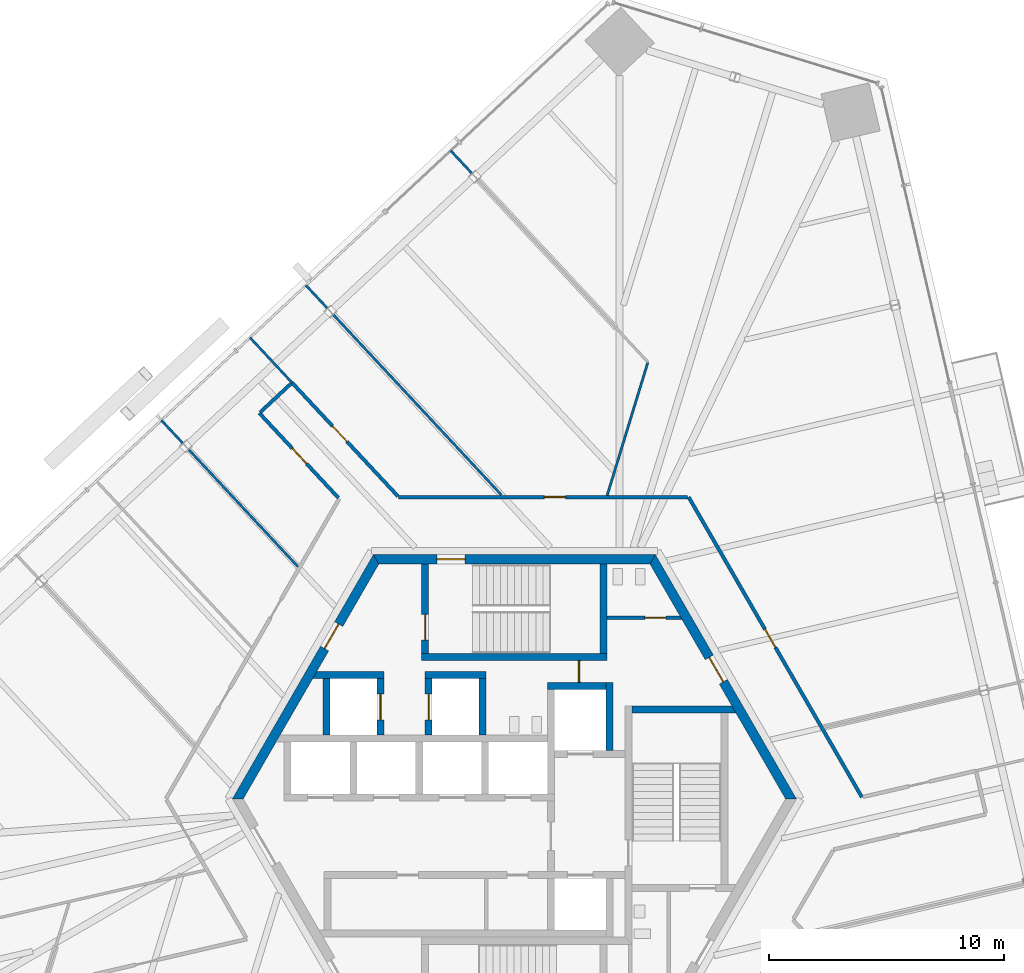
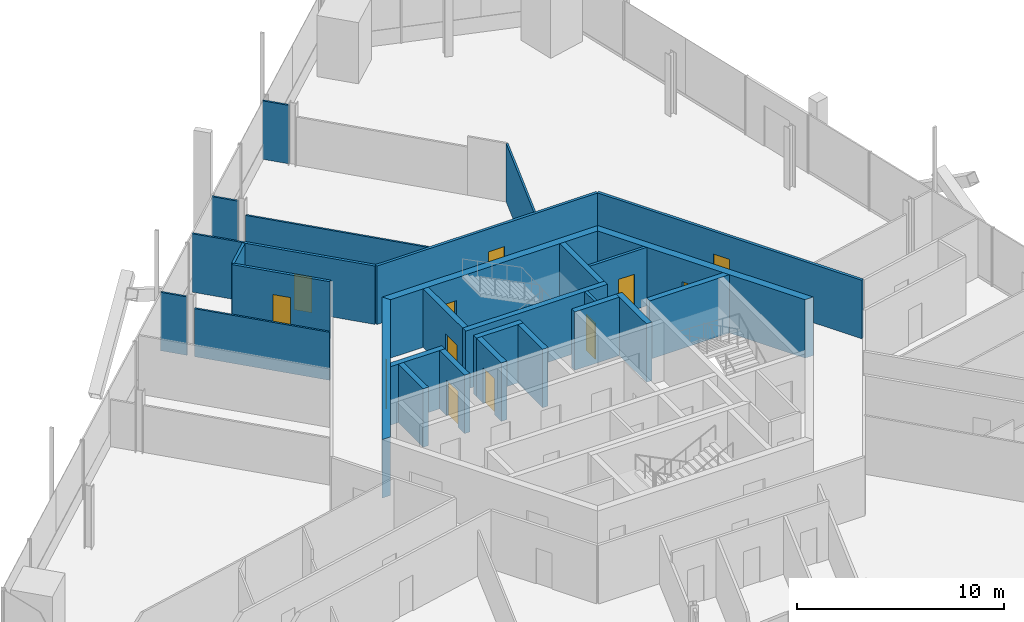
# One storey, part 16 of 24: 29 walls, 12 doors, 12 openings.
"""IFC4 building model written with IfcOpenShell, lengths in metres."""

from ifc_helpers import new_model, si_unit, direction, frame, frame_2d, origin, place, context, subcontext, project, spatial, polyline, rectangle, outline, extrude, source, transform, mapped, material, layer, layer_set, type_object, element, fill, save


model = new_model("IFC4")

# Units and contexts
model_context = context("Model", 3, precision=1e-05, world=origin(), true_north=direction((0.0, 1.0)))
body_context = subcontext(model_context, "Body", "Model", "MODEL_VIEW")
ifc_project = project(units=[si_unit("LENGTHUNIT", "METRE"), si_unit("AREAUNIT", "SQUARE_METRE"), si_unit("VOLUMEUNIT", "CUBIC_METRE"), si_unit("PLANEANGLEUNIT", "RADIAN"), si_unit("MASSUNIT", "GRAM", prefix="KILO")], contexts=[model_context])

# Site, building, storey
site_placement = place(None, origin())
site = spatial("IfcSite", under=ifc_project, at=site_placement, CompositionType="ELEMENT")
building_placement = place(site_placement, origin())
building = spatial("IfcBuilding", under=site, at=building_placement, Name="Triune Harvest Tower", CompositionType="ELEMENT")
storey_placement = place(building_placement, frame((0.0, 0.0, 112.699951171875)))
storey = spatial("IfcBuildingStorey", under=building, at=storey_placement, Name="L28", CompositionType="ELEMENT", Elevation=112.699951171875)

# Wall, opening, door
ifc_material_1 = material(Name="Gypsum board on steel studs", Category="steel")
ifc_layer_1 = layer(ifc_material_1, 0.14990234375)
ifc_layer_set_1 = layer_set([ifc_layer_1], Name="Gypsum board on steel studs")
wall_type_1 = type_object("IfcWallType", Name="Fire Partition 150 mm", PredefinedType="PARTITIONING", material=ifc_layer_set_1)
wall_1_placement = place(storey_placement, frame((-9.462890625, 17.70947265625, 0.0), z_axis=(0.0, 0.0, 1.0), x_axis=(0.681985499965, -0.731365693642, 0.0)))
wall_1 = element("IfcWall", 1, at=wall_1_placement, inside=storey, type_object=wall_type_1, Name="Partition L28 017", PredefinedType="PARTITIONING", context=body_context, shape_type="SweptSolid", body=[
    extrude(rectangle(XDim=6.615234375, YDim=0.14990234375, at=frame_2d((3.3076171875, 0.0))), origin(), (0.0, 0.0, 1.0), 3.43994140625),
])
opening_1_placement = place(wall_1_placement, frame((2.525146484375, 0.0, 0.0)))
opening_1 = element("IfcOpeningElement", 2, at=opening_1_placement, cuts=wall_1, Name="Opening L28-011", PredefinedType="OPENING", context=body_context, shape_type="SweptSolid", body=[
    extrude(rectangle(XDim=0.89990234375, YDim=2.10009765625, at=frame_2d((0.449951171875, 1.050048828125))), frame((0.0, 0.0849609375, 0.0), z_axis=(0.0, -1.0, 0.0), x_axis=(1.0, 0.0, 0.0)), (0.0, 0.0, 1.0), 0.169921875),
])
ifc_material_2 = material(Name="Timber and steel door set", Category="steel")
door_type_1 = type_object("IfcDoorType", Name="Single leaf door FD30 left hand 900 x 2100", OperationType="SINGLE_SWING_LEFT", PredefinedType="DOOR", material=ifc_material_2)
door_1_placement = place(opening_1_placement, origin())
door_1 = element("IfcDoor", 3, at=door_1_placement, inside=storey, type_object=door_type_1, Name="Door L28-011 Office 28.11", OperationType="SINGLE_SWING_LEFT", OverallHeight=2.10009765625, OverallWidth=0.89990234375, PredefinedType="DOOR", context=body_context, shape_type="SweptSolid", body=[
    extrude(rectangle(XDim=0.89990234375, YDim=2.10009765625, at=frame_2d((0.449951171875, 1.050048828125))), frame((0.0, 0.02490234375, 0.0), z_axis=(0.0, -1.0, 0.0), x_axis=(1.0, 0.0, 0.0)), (0.0, 0.0, 1.0), 0.050048828125),
])
fill(opening_1, door_1)

# Wall
ifc_material_3 = material(Name="Gypsum board on steel studs", Category="steel")
ifc_layer_2 = layer(ifc_material_3, 0.10009765625)
ifc_layer_set_2 = layer_set([ifc_layer_2], Name="Gypsum board on steel studs")
wall_type_2 = type_object("IfcWallType", Name="Partition 100 mm", PredefinedType="PARTITIONING", material=ifc_layer_set_2)
wall_2_placement = place(storey_placement, frame((-7.707763671875, 20.603515625, 0.0), z_axis=(0.0, 0.0, 1.0), x_axis=(0.681998992862, -0.731353111524, 0.0)))
element("IfcWall", 4, at=wall_2_placement, inside=storey, type_object=wall_type_2, Name="Partition L28 020", PredefinedType="PARTITIONING", context=body_context, shape_type="SweptSolid", body=[
    extrude(rectangle(XDim=10.491943359375, YDim=0.10009765625, at=frame_2d((5.24609375, 0.0))), origin(), (0.0, 0.0, 1.0), 2.68310546875),
])

# Wall, opening, door
ifc_material_4 = material(Name="Concrete 70 MPa", Category="concrete")
ifc_layer_3 = layer(ifc_material_4, 0.39990234375)
ifc_layer_set_3 = layer_set([ifc_layer_3], Name="Concrete 70 MPa")
wall_type_3 = type_object("IfcWallType", Name="Core wall 400", PredefinedType="SHEAR", material=ifc_layer_set_3)
shared_shape_1 = source(origin(), body_context, "Body", "SweptSolid", [
    extrude(outline(polyline([(-0.115478515625, -0.199951171875), (11.884521484375, -0.199951171875), (11.653564453125, 0.199951171875), (0.115478515625, 0.199951171875), (-0.115478515625, -0.199951171875)])), origin(), (0.0, 0.0, 1.0), 3.43994140625),
])
wall_3_placement = place(storey_placement, frame((11.76904296875, 0.0, 0.0), z_axis=(0.0, 0.0, 1.0), x_axis=(-0.499996592174, 0.866027371285, 0.0)))
wall_3 = element("IfcWall", 5, at=wall_3_placement, inside=storey, type_object=wall_type_3, Name="Hexagon 0 wall", PredefinedType="SHEAR", context=body_context, shape_type="MappedRepresentation", body=[
    mapped(shared_shape_1, transform((0.0, 0.0, 0.0), scale=1.0)),
])
opening_2_placement = place(wall_3_placement, frame((5.75048828125, 0.0, 0.0)))
opening_2 = element("IfcOpeningElement", 6, at=opening_2_placement, cuts=wall_3, Name="Opening CD-WCP", PredefinedType="OPENING", context=body_context, shape_type="SweptSolid", body=[
    extrude(rectangle(XDim=1.199951171875, YDim=2.10009765625, at=frame_2d((0.60009765625, 1.050048828125))), frame((0.0, 0.2099609375, 0.0), z_axis=(0.0, -1.0, 0.0), x_axis=(1.0, 0.0, 0.0)), (0.0, 0.0, 1.0), 0.419921875),
])
ifc_material_5 = material(Name="Steel S235", Category="steel")
door_type_2 = type_object("IfcDoorType", Name="Lobby door 1200 FD120", OperationType="SINGLE_SWING_LEFT", PredefinedType="DOOR", material=ifc_material_5)
door_2_placement = place(opening_2_placement, frame((1.199951171875, 0.0, 0.0), z_axis=(0.0, 0.0, 1.0), x_axis=(-1.0, 0.0, 0.0)))
door_2 = element("IfcDoor", 7, at=door_2_placement, inside=storey, type_object=door_type_2, Name="Door CD-WCP", OperationType="SINGLE_SWING_RIGHT", OverallHeight=2.10009765625, OverallWidth=1.199951171875, PredefinedType="DOOR", context=body_context, shape_type="SweptSolid", body=[
    extrude(rectangle(XDim=1.199951171875, YDim=2.10009765625, at=frame_2d((0.60009765625, 1.050048828125))), frame((0.0, 0.02490234375, 0.0), z_axis=(0.0, -1.0, 0.0), x_axis=(1.0, 0.0, 0.0)), (0.0, 0.0, 1.0), 0.050048828125),
])
fill(opening_2, door_2)

wall_4_placement = place(storey_placement, frame((5.884521484375, 10.1923828125, 0.0), z_axis=(0.0, 0.0, 1.0), x_axis=(-1.0, 0.0, 0.0)))
wall_4 = element("IfcWall", 8, at=wall_4_placement, inside=storey, type_object=wall_type_3, Name="Hexagon 1 wall", PredefinedType="SHEAR", context=body_context, shape_type="MappedRepresentation", body=[
    mapped(shared_shape_1, transform((0.0, 0.0, 0.0), scale=1.0)),
])
opening_3_placement = place(wall_4_placement, frame((7.984619140625, 0.0, 0.0)))
opening_3 = element("IfcOpeningElement", 9, at=opening_3_placement, cuts=wall_4, Name="Opening CD-S1P", PredefinedType="OPENING", context=body_context, shape_type="SweptSolid", body=[
    extrude(rectangle(XDim=1.199951171875, YDim=2.10009765625, at=frame_2d((0.60009765625, 1.050048828125))), frame((0.0, 0.2099609375, 0.0), z_axis=(0.0, -1.0, 0.0), x_axis=(1.0, 0.0, 0.0)), (0.0, 0.0, 1.0), 0.419921875),
])
ifc_material_6 = material(Name="Steel S235", Category="steel")
door_type_3 = type_object("IfcDoorType", Name="Stair door 1200 FD120", OperationType="SINGLE_SWING_LEFT", PredefinedType="DOOR", material=ifc_material_6)
door_3_placement = place(opening_3_placement, frame((1.199951171875, 0.0, 0.0), z_axis=(0.0, 0.0, 1.0), x_axis=(-1.0, 0.0, 0.0)))
door_3 = element("IfcDoor", 10, at=door_3_placement, inside=storey, type_object=door_type_3, Name="Door CD-S1P", OperationType="SINGLE_SWING_RIGHT", OverallHeight=2.10009765625, OverallWidth=1.199951171875, PredefinedType="DOOR", context=body_context, shape_type="SweptSolid", body=[
    extrude(rectangle(XDim=1.199951171875, YDim=2.10009765625, at=frame_2d((0.60009765625, 1.050048828125))), frame((0.0, 0.02490234375, 0.0), z_axis=(0.0, -1.0, 0.0), x_axis=(1.0, 0.0, 0.0)), (0.0, 0.0, 1.0), 0.050048828125),
])
fill(opening_3, door_3)

wall_5_placement = place(storey_placement, frame((-5.884521484375, 10.1923828125, 0.0), z_axis=(0.0, 0.0, 1.0), x_axis=(-0.499996592174, -0.866027371285, 0.0)))
wall_5 = element("IfcWall", 11, at=wall_5_placement, inside=storey, type_object=wall_type_3, Name="Hexagon 2 wall", PredefinedType="SHEAR", context=body_context, shape_type="MappedRepresentation", body=[
    mapped(shared_shape_1, transform((0.0, 0.0, 0.0), scale=1.0)),
])
opening_4_placement = place(wall_5_placement, frame((3.1845703125, 0.0, 0.0)))
opening_4 = element("IfcOpeningElement", 12, at=opening_4_placement, cuts=wall_5, Name="Opening CD-SVP", PredefinedType="OPENING", context=body_context, shape_type="SweptSolid", body=[
    extrude(rectangle(XDim=1.199951171875, YDim=2.10009765625, at=frame_2d((0.60009765625, 1.050048828125))), frame((0.0, 0.2099609375, 0.0), z_axis=(0.0, -1.0, 0.0), x_axis=(1.0, 0.0, 0.0)), (0.0, 0.0, 1.0), 0.419921875),
])
ifc_material_7 = material(Name="Steel S235", Category="steel")
door_type_4 = type_object("IfcDoorType", Name="Service door 1200 FD120", OperationType="SINGLE_SWING_LEFT", PredefinedType="DOOR", material=ifc_material_7)
door_4_placement = place(opening_4_placement, frame((1.199951171875, 0.0, 0.0), z_axis=(0.0, 0.0, 1.0), x_axis=(-1.0, 0.0, 0.0)))
door_4 = element("IfcDoor", 13, at=door_4_placement, inside=storey, type_object=door_type_4, Name="Door CD-SVP", OperationType="SINGLE_SWING_RIGHT", OverallHeight=2.10009765625, OverallWidth=1.199951171875, PredefinedType="DOOR", context=body_context, shape_type="SweptSolid", body=[
    extrude(rectangle(XDim=1.199951171875, YDim=2.10009765625, at=frame_2d((0.60009765625, 1.050048828125))), frame((0.0, 0.02490234375, 0.0), z_axis=(0.0, -1.0, 0.0), x_axis=(1.0, 0.0, 0.0)), (0.0, 0.0, 1.0), 0.050048828125),
])
fill(opening_4, door_4)

# Walls
ifc_material_8 = material(Name="Concrete 70 MPa", Category="concrete")
ifc_layer_4 = layer(ifc_material_8, 0.300048828125)
ifc_layer_set_4 = layer_set([ifc_layer_4], Name="Concrete 70 MPa")
wall_type_4 = type_object("IfcWallType", Name="Core wall 300", PredefinedType="SHEAR", material=ifc_layer_set_4)
shared_shape_2 = source(origin(), body_context, "Body", "SweptSolid", [
    extrude(rectangle(XDim=2.5, YDim=0.300048828125, at=frame_2d((1.25, 0.0))), origin(), (0.0, 0.0, 1.0), 3.43994140625),
])
wall_6_placement = place(storey_placement, frame((1.39990234375, 4.81005859375, 0.0), z_axis=(0.0, 0.0, 1.0), x_axis=(1.0, 0.0, 0.0)))
element("IfcWall", 14, at=wall_6_placement, inside=storey, type_object=wall_type_4, Name="Ff1 back wall", PredefinedType="SHEAR", context=body_context, shape_type="MappedRepresentation", body=[
    mapped(shared_shape_2, transform((0.0, 0.0, 0.0), scale=1.0)),
])
shared_shape_3 = source(origin(), body_context, "Body", "SweptSolid", [
    extrude(rectangle(XDim=2.89990234375, YDim=0.300048828125, at=frame_2d((1.449951171875, 0.0))), origin(), (0.0, 0.0, 1.0), 3.43994140625),
])
wall_7_placement = place(storey_placement, frame((4.050048828125, 2.06005859375, 0.0), z_axis=(0.0, 0.0, 1.0), x_axis=(0.0, 1.0, 0.0)))
element("IfcWall", 15, at=wall_7_placement, inside=storey, type_object=wall_type_4, Name="Ff1 east wall", PredefinedType="SHEAR", context=body_context, shape_type="MappedRepresentation", body=[
    mapped(shared_shape_3, transform((0.0, 0.0, 0.0), scale=1.0)),
])
shared_shape_4 = source(origin(), body_context, "Body", "SweptSolid", [
    extrude(outline(polyline([(0.0, -0.14990234375), (0.0, 0.14990234375), (4.260009765625, 0.14990234375), (4.43310546875, -0.14990234375), (0.0, -0.14990234375)])), origin(), (0.0, 0.0, 1.0), 3.43994140625),
])
wall_8_placement = place(storey_placement, frame((5.0, 3.800048828125, 0.0), z_axis=(0.0, 0.0, 1.0), x_axis=(1.0, 0.0, 0.0)))
element("IfcWall", 16, at=wall_8_placement, inside=storey, type_object=wall_type_4, Name="Stair e north wall", PredefinedType="SHEAR", context=body_context, shape_type="MappedRepresentation", body=[
    mapped(shared_shape_4, transform((0.0, 0.0, 0.0), scale=1.0)),
])
shared_shape_5 = source(origin(), body_context, "Body", "SweptSolid", [
    extrude(rectangle(XDim=7.89990234375, YDim=0.300048828125, at=frame_2d((3.949951171875, 0.0))), origin(), (0.0, 0.0, 1.0), 3.43994140625),
])
wall_9_placement = place(storey_placement, frame((-3.949951171875, 6.0400390625, 0.0), z_axis=(0.0, 0.0, 1.0), x_axis=(1.0, 0.0, 0.0)))
element("IfcWall", 17, at=wall_9_placement, inside=storey, type_object=wall_type_4, Name="Stair n south wall", PredefinedType="SHEAR", context=body_context, shape_type="MappedRepresentation", body=[
    mapped(shared_shape_5, transform((0.0, 0.0, 0.0), scale=1.0)),
])

# Wall, opening, door
shared_shape_6 = source(origin(), body_context, "Body", "SweptSolid", [
    extrude(outline(polyline([(0.0, -0.14990234375), (0.0, 0.14990234375), (3.80419921875, 0.14990234375), (3.80419921875, -0.14990234375), (0.0, -0.14990234375)])), origin(), (0.0, 0.0, 1.0), 3.43994140625),
])
wall_10_placement = place(storey_placement, frame((-3.800048828125, 6.18994140625, 0.0), z_axis=(0.0, 0.0, 1.0), x_axis=(0.0, 1.0, 0.0)))
wall_10 = element("IfcWall", 18, at=wall_10_placement, inside=storey, type_object=wall_type_4, Name="Stair n west wall", PredefinedType="SHEAR", context=body_context, shape_type="MappedRepresentation", body=[
    mapped(shared_shape_6, transform((0.0, 0.0, 0.0), scale=1.0)),
])
opening_5_placement = place(wall_10_placement, frame((0.56005859375, 0.0, 0.0)))
opening_5 = element("IfcOpeningElement", 19, at=opening_5_placement, cuts=wall_10, Name="Opening CD-S1L", PredefinedType="OPENING", context=body_context, shape_type="SweptSolid", body=[
    extrude(rectangle(XDim=1.10009765625, YDim=2.10009765625, at=frame_2d((0.550048828125, 1.050048828125))), frame((0.0, 0.16015625, 0.0), z_axis=(0.0, -1.0, 0.0), x_axis=(1.0, 0.0, 0.0)), (0.0, 0.0, 1.0), 0.320068359375),
])
ifc_material_9 = material(Name="Steel S235", Category="steel")
door_type_5 = type_object("IfcDoorType", Name="Stair door 1100 FD120", OperationType="SINGLE_SWING_LEFT", PredefinedType="DOOR", material=ifc_material_9)
door_5_placement = place(opening_5_placement, frame((1.10009765625, 0.0, 0.0), z_axis=(0.0, 0.0, 1.0), x_axis=(-1.0, 0.0, 0.0)))
door_5 = element("IfcDoor", 20, at=door_5_placement, inside=storey, type_object=door_type_5, Name="Door CD-S1L", OperationType="SINGLE_SWING_RIGHT", OverallHeight=2.10009765625, OverallWidth=1.10009765625, PredefinedType="DOOR", context=body_context, shape_type="SweptSolid", body=[
    extrude(rectangle(XDim=1.10009765625, YDim=2.10009765625, at=frame_2d((0.550048828125, 1.050048828125))), frame((0.0, 0.02490234375, 0.0), z_axis=(0.0, -1.0, 0.0), x_axis=(1.0, 0.0, 0.0)), (0.0, 0.0, 1.0), 0.050048828125),
])
fill(opening_5, door_5)

# Walls
wall_11_placement = place(storey_placement, frame((3.800048828125, 6.18994140625, 0.0), z_axis=(0.0, 0.0, 1.0), x_axis=(0.0, 1.0, 0.0)))
element("IfcWall", 21, at=wall_11_placement, inside=storey, type_object=wall_type_4, Name="Stair n east wall", PredefinedType="SHEAR", context=body_context, shape_type="MappedRepresentation", body=[
    mapped(shared_shape_6, transform((0.0, 0.0, 0.0), scale=1.0)),
])
shared_shape_7 = source(origin(), body_context, "Body", "SweptSolid", [
    extrude(outline(polyline([(2.60009765625, -0.14990234375), (-0.440185546875, -0.14990234375), (-0.26708984375, 0.14990234375), (2.60009765625, 0.14990234375), (2.60009765625, -0.14990234375)])), origin(), (0.0, 0.0, 1.0), 3.43994140625),
])
wall_12_placement = place(storey_placement, frame((-8.14990234375, 5.260009765625, 0.0), z_axis=(0.0, 0.0, 1.0), x_axis=(1.0, 0.0, 0.0)))
element("IfcWall", 22, at=wall_12_placement, inside=storey, type_object=wall_type_4, Name="Sv1 north wall", PredefinedType="SHEAR", context=body_context, shape_type="MappedRepresentation", body=[
    mapped(shared_shape_7, transform((0.0, 0.0, 0.0), scale=1.0)),
])
shared_shape_8 = source(origin(), body_context, "Body", "SweptSolid", [
    extrude(rectangle(XDim=2.400146484375, YDim=0.300048828125, at=frame_2d((1.2001953125, 0.0))), origin(), (0.0, 0.0, 1.0), 3.43994140625),
])
wall_13_placement = place(storey_placement, frame((-8.0, 2.7099609375, 0.0), z_axis=(0.0, 0.0, 1.0), x_axis=(0.0, 1.0, 0.0)))
element("IfcWall", 23, at=wall_13_placement, inside=storey, type_object=wall_type_4, Name="Sv1 west wall", PredefinedType="SHEAR", context=body_context, shape_type="MappedRepresentation", body=[
    mapped(shared_shape_8, transform((0.0, 0.0, 0.0), scale=1.0)),
])

# Wall, opening, door
wall_14_placement = place(storey_placement, frame((-5.699951171875, 2.7099609375, 0.0), z_axis=(0.0, 0.0, 1.0), x_axis=(0.0, 1.0, 0.0)))
wall_14 = element("IfcWall", 24, at=wall_14_placement, inside=storey, type_object=wall_type_4, Name="Sv1 east wall", PredefinedType="SHEAR", context=body_context, shape_type="MappedRepresentation", body=[
    mapped(shared_shape_8, transform((0.0, 0.0, 0.0), scale=1.0)),
])
opening_6_placement = place(wall_14_placement, frame((0.64990234375, 0.0, 0.0)))
opening_6 = element("IfcOpeningElement", 25, at=opening_6_placement, cuts=wall_14, Name="Opening LD-SV1-28", PredefinedType="OPENING", context=body_context, shape_type="SweptSolid", body=[
    extrude(rectangle(XDim=1.10009765625, YDim=2.10009765625, at=frame_2d((0.550048828125, 1.050048828125))), frame((0.0, 0.16015625, 0.0), z_axis=(0.0, -1.0, 0.0), x_axis=(1.0, 0.0, 0.0)), (0.0, 0.0, 1.0), 0.320068359375),
])
ifc_material_10 = material(Name="Stainless steel AISI 304", Category="steel")
door_type_6 = type_object("IfcDoorType", Name="Landing door 1100 x 2100", OperationType="DOUBLE_DOOR_SLIDING", PredefinedType="DOOR", material=ifc_material_10)
door_6_placement = place(opening_6_placement, origin())
door_6 = element("IfcDoor", 26, at=door_6_placement, inside=storey, type_object=door_type_6, Name="Door LD-SV1-28", OperationType="DOUBLE_DOOR_SLIDING", OverallHeight=2.10009765625, OverallWidth=1.10009765625, PredefinedType="DOOR", context=body_context, shape_type="SweptSolid", body=[
    extrude(rectangle(XDim=1.10009765625, YDim=2.10009765625, at=frame_2d((0.550048828125, 1.050048828125))), frame((0.0, 0.02490234375, 0.0), z_axis=(0.0, -1.0, 0.0), x_axis=(1.0, 0.0, 0.0)), (0.0, 0.0, 1.0), 0.050048828125),
])
fill(opening_6, door_6)

wall_15_placement = place(storey_placement, frame((-3.64990234375, 2.7099609375, 0.0), z_axis=(0.0, 0.0, 1.0), x_axis=(0.0, 1.0, 0.0)))
wall_15 = element("IfcWall", 27, at=wall_15_placement, inside=storey, type_object=wall_type_4, Name="Sv2 west wall", PredefinedType="SHEAR", context=body_context, shape_type="MappedRepresentation", body=[
    mapped(shared_shape_8, transform((0.0, 0.0, 0.0), scale=1.0)),
])
opening_7_placement = place(wall_15_placement, frame((0.64990234375, 0.0, 0.0)))
opening_7 = element("IfcOpeningElement", 28, at=opening_7_placement, cuts=wall_15, Name="Opening LD-SV2-28", PredefinedType="OPENING", context=body_context, shape_type="SweptSolid", body=[
    extrude(rectangle(XDim=1.10009765625, YDim=2.10009765625, at=frame_2d((0.550048828125, 1.050048828125))), frame((0.0, 0.16015625, 0.0), z_axis=(0.0, -1.0, 0.0), x_axis=(1.0, 0.0, 0.0)), (0.0, 0.0, 1.0), 0.320068359375),
])
door_7_placement = place(opening_7_placement, origin())
door_7 = element("IfcDoor", 29, at=door_7_placement, inside=storey, type_object=door_type_6, Name="Door LD-SV2-28", OperationType="DOUBLE_DOOR_SLIDING", OverallHeight=2.10009765625, OverallWidth=1.10009765625, PredefinedType="DOOR", context=body_context, shape_type="SweptSolid", body=[
    extrude(rectangle(XDim=1.10009765625, YDim=2.10009765625, at=frame_2d((0.550048828125, 1.050048828125))), frame((0.0, 0.02490234375, 0.0), z_axis=(0.0, -1.0, 0.0), x_axis=(1.0, 0.0, 0.0)), (0.0, 0.0, 1.0), 0.050048828125),
])
fill(opening_7, door_7)

# Walls
wall_16_placement = place(storey_placement, frame((-1.35009765625, 2.7099609375, 0.0), z_axis=(0.0, 0.0, 1.0), x_axis=(0.0, 1.0, 0.0)))
element("IfcWall", 30, at=wall_16_placement, inside=storey, type_object=wall_type_4, Name="Sv2 east wall", PredefinedType="SHEAR", context=body_context, shape_type="MappedRepresentation", body=[
    mapped(shared_shape_8, transform((0.0, 0.0, 0.0), scale=1.0)),
])
shared_shape_9 = source(origin(), body_context, "Body", "SweptSolid", [
    extrude(rectangle(XDim=2.60009765625, YDim=0.300048828125, at=frame_2d((1.300048828125, 0.0))), origin(), (0.0, 0.0, 1.0), 3.43994140625),
])
wall_17_placement = place(storey_placement, frame((-3.800048828125, 5.260009765625, 0.0), z_axis=(0.0, 0.0, 1.0), x_axis=(1.0, 0.0, 0.0)))
element("IfcWall", 31, at=wall_17_placement, inside=storey, type_object=wall_type_4, Name="Sv2 north wall", PredefinedType="SHEAR", context=body_context, shape_type="MappedRepresentation", body=[
    mapped(shared_shape_9, transform((0.0, 0.0, 0.0), scale=1.0)),
])

# Wall, opening, door
ifc_material_11 = material(Name="Concrete masonry unit", Category="masonry")
ifc_layer_5 = layer(ifc_material_11, 0.14990234375)
ifc_layer_set_5 = layer_set([ifc_layer_5], Name="Concrete masonry unit")
wall_type_5 = type_object("IfcWallType", Name="Block partition 150 unrated", PredefinedType="PARTITIONING", material=ifc_layer_set_5)
shared_shape_10 = source(origin(), body_context, "Body", "SweptSolid", [
    extrude(outline(polyline([(0.0, -0.074951171875), (0.0, 0.074951171875), (3.1015625, 0.074951171875), (3.18798828125, -0.074951171875), (0.0, -0.074951171875)])), origin(), (0.0, 0.0, 1.0), 3.43994140625),
])
wall_18_placement = place(storey_placement, frame((3.949951171875, 7.699951171875, 0.0), z_axis=(0.0, 0.0, 1.0), x_axis=(1.0, 0.0, 0.0)))
wall_18 = element("IfcWall", 32, at=wall_18_placement, inside=storey, type_object=wall_type_5, Name="Wc women south wall", PredefinedType="PARTITIONING", context=body_context, shape_type="MappedRepresentation", body=[
    mapped(shared_shape_10, transform((0.0, 0.0, 0.0), scale=1.0)),
])
opening_8_placement = place(wall_18_placement, frame((1.60009765625, 0.0, 0.0)))
opening_8 = element("IfcOpeningElement", 33, at=opening_8_placement, cuts=wall_18, Name="Opening CD-WW", PredefinedType="OPENING", context=body_context, shape_type="SweptSolid", body=[
    extrude(rectangle(XDim=0.89990234375, YDim=2.10009765625, at=frame_2d((0.449951171875, 1.050048828125))), frame((0.0, 0.0849609375, 0.0), z_axis=(0.0, -1.0, 0.0), x_axis=(1.0, 0.0, 0.0)), (0.0, 0.0, 1.0), 0.169921875),
])
ifc_material_12 = material(Name="Timber C24", Category="wood")
door_type_7 = type_object("IfcDoorType", Name="WC door 900", OperationType="SINGLE_SWING_LEFT", PredefinedType="DOOR", material=ifc_material_12)
door_8_placement = place(opening_8_placement, origin())
door_8 = element("IfcDoor", 34, at=door_8_placement, inside=storey, type_object=door_type_7, Name="Door CD-WW", OperationType="SINGLE_SWING_LEFT", OverallHeight=2.10009765625, OverallWidth=0.89990234375, PredefinedType="DOOR", context=body_context, shape_type="SweptSolid", body=[
    extrude(rectangle(XDim=0.89990234375, YDim=2.10009765625, at=frame_2d((0.449951171875, 1.050048828125))), frame((0.0, 0.02490234375, 0.0), z_axis=(0.0, -1.0, 0.0), x_axis=(1.0, 0.0, 0.0)), (0.0, 0.0, 1.0), 0.050048828125),
])
fill(opening_8, door_8)

shared_shape_11 = source(origin(), body_context, "Body", "SweptSolid", [
    extrude(rectangle(XDim=0.929931640625, YDim=0.14990234375, at=frame_2d((0.46484375, 0.0))), origin(), (0.0, 0.0, 1.0), 3.43994140625),
])
wall_19_placement = place(storey_placement, frame((2.75, 4.9599609375, 0.0), z_axis=(0.0, 0.0, 1.0), x_axis=(0.0, 1.0, 0.0)))
wall_19 = element("IfcWall", 35, at=wall_19_placement, inside=storey, type_object=wall_type_5, Name="Wc men east b wall", PredefinedType="PARTITIONING", context=body_context, shape_type="MappedRepresentation", body=[
    mapped(shared_shape_11, transform((0.0, 0.0, 0.0), scale=1.0)),
])
opening_9_placement = place(wall_19_placement, frame((0.014892578125, 0.0, 0.0)))
opening_9 = element("IfcOpeningElement", 36, at=opening_9_placement, cuts=wall_19, Name="Opening CD-WM", PredefinedType="OPENING", context=body_context, shape_type="SweptSolid", body=[
    extrude(rectangle(XDim=0.89990234375, YDim=2.10009765625, at=frame_2d((0.449951171875, 1.050048828125))), frame((0.0, 0.0849609375, 0.0), z_axis=(0.0, -1.0, 0.0), x_axis=(1.0, 0.0, 0.0)), (0.0, 0.0, 1.0), 0.169921875),
])
door_9_placement = place(opening_9_placement, origin())
door_9 = element("IfcDoor", 37, at=door_9_placement, inside=storey, type_object=door_type_7, Name="Door CD-WM", OperationType="SINGLE_SWING_LEFT", OverallHeight=2.10009765625, OverallWidth=0.89990234375, PredefinedType="DOOR", context=body_context, shape_type="SweptSolid", body=[
    extrude(rectangle(XDim=0.89990234375, YDim=2.10009765625, at=frame_2d((0.449951171875, 1.050048828125))), frame((0.0, 0.02490234375, 0.0), z_axis=(0.0, -1.0, 0.0), x_axis=(1.0, 0.0, 0.0)), (0.0, 0.0, 1.0), 0.050048828125),
])
fill(opening_9, door_9)

# Walls
shared_shape_12 = source(origin(), body_context, "Body", "SweptSolid", [
    extrude(rectangle(XDim=1.338134765625, YDim=0.10009765625, at=frame_2d((0.6689453125, 0.0))), origin(), (0.0, 0.0, 1.0), 3.43994140625),
])
for number, where, z_axis, x_axis, name in (
    (38, (-15.0205078125, 16.107421875, 0.0), (0.0, 0.0, 1.0), (0.68204515899, -0.731310058114, 0.0), "Partition L28 010"),
    (39, (-8.866455078125, 21.84619140625, 0.0), (0.0, 0.0, 1.0), (0.681954155979, -0.731394920096, 0.0), "Partition L28 019"),
    (40, (-2.71240234375, 27.584716796875, 0.0), (0.0, 0.0, 1.0), (0.68204515899, -0.731310058114, 0.0), "Partition L28 021"),
):
    element("IfcWall", number, at=place(storey_placement, frame(where, z_axis=z_axis, x_axis=x_axis)), inside=storey, type_object=wall_type_2, Name=name, PredefinedType="PARTITIONING", context=body_context, shape_type="MappedRepresentation", body=[
        mapped(shared_shape_12, transform((0.0, 0.0, 0.0), scale=1.0)),
    ])
shared_shape_13 = source(origin(), body_context, "Body", "SweptSolid", [
    extrude(rectangle(XDim=1.7900390625, YDim=0.14990234375, at=frame_2d((0.89501953125, 0.0))), origin(), (0.0, 0.0, 1.0), 3.43994140625),
])
wall_20_placement = place(storey_placement, frame((-10.81591796875, 16.447998046875, 0.0), z_axis=(0.0, 0.0, 1.0), x_axis=(0.731427056945, 0.681919687624, 0.0)))
element("IfcWall", 41, at=wall_20_placement, inside=storey, type_object=wall_type_1, Name="Partition L28 047", PredefinedType="PARTITIONING", context=body_context, shape_type="MappedRepresentation", body=[
    mapped(shared_shape_13, transform((0.0, 0.0, 0.0), scale=1.0)),
])

# Wall, opening, door
shared_shape_14 = source(origin(), body_context, "Body", "SweptSolid", [
    extrude(rectangle(XDim=14.7470703125, YDim=0.14990234375, at=frame_2d((7.37353515625, 0.0))), origin(), (0.0, 0.0, 1.0), 3.43994140625),
])
wall_21_placement = place(storey_placement, frame((7.414306640625, 12.84228515625, 0.0), z_axis=(0.0, 0.0, 1.0), x_axis=(0.500002856634, -0.8660237545, 0.0)))
wall_21 = element("IfcWall", 42, at=wall_21_placement, inside=storey, type_object=wall_type_1, Name="Partition L28 006", PredefinedType="PARTITIONING", context=body_context, shape_type="MappedRepresentation", body=[
    mapped(shared_shape_14, transform((0.0, 0.0, 0.0), scale=1.0)),
])
opening_10_placement = place(wall_21_placement, frame((6.490966796875, 0.0, 0.0)))
opening_10 = element("IfcOpeningElement", 43, at=opening_10_placement, cuts=wall_21, Name="Opening L28-008", PredefinedType="OPENING", context=body_context, shape_type="SweptSolid", body=[
    extrude(rectangle(XDim=0.89990234375, YDim=2.10009765625, at=frame_2d((0.449951171875, 1.050048828125))), frame((0.0, 0.0849609375, 0.0), z_axis=(0.0, -1.0, 0.0), x_axis=(1.0, 0.0, 0.0)), (0.0, 0.0, 1.0), 0.169921875),
])
door_10_placement = place(opening_10_placement, origin())
door_10 = element("IfcDoor", 44, at=door_10_placement, inside=storey, type_object=door_type_1, Name="Door L28-008 Open Office 28.08", OperationType="SINGLE_SWING_LEFT", OverallHeight=2.10009765625, OverallWidth=0.89990234375, PredefinedType="DOOR", context=body_context, shape_type="SweptSolid", body=[
    extrude(rectangle(XDim=0.89990234375, YDim=2.10009765625, at=frame_2d((0.449951171875, 1.050048828125))), frame((0.0, 0.02490234375, 0.0), z_axis=(0.0, -1.0, 0.0), x_axis=(1.0, 0.0, 0.0)), (0.0, 0.0, 1.0), 0.050048828125),
])
fill(opening_10, door_10)

# Wall
shared_shape_15 = source(origin(), body_context, "Body", "SweptSolid", [
    extrude(rectangle(XDim=2.61865234375, YDim=0.10009765625, at=frame_2d((1.309326171875, 0.0))), origin(), (0.0, 0.0, 1.0), 3.43994140625),
])
wall_22_placement = place(storey_placement, frame((-11.248779296875, 19.62451171875, 0.0), z_axis=(0.0, 0.0, 1.0), x_axis=(0.682015897194, -0.731337347586, 0.0)))
element("IfcWall", 45, at=wall_22_placement, inside=storey, type_object=wall_type_2, Name="Partition L28 016", PredefinedType="PARTITIONING", context=body_context, shape_type="MappedRepresentation", body=[
    mapped(shared_shape_15, transform((0.0, 0.0, 0.0), scale=1.0)),
])

# Wall, opening, door
shared_shape_16 = source(origin(), body_context, "Body", "SweptSolid", [
    extrude(rectangle(XDim=12.28857421875, YDim=0.14990234375, at=frame_2d((6.144287109375, 0.0))), origin(), (0.0, 0.0, 1.0), 3.43994140625),
])
wall_23_placement = place(storey_placement, frame((-4.924072265625, 12.84228515625, 0.0), z_axis=(0.0, 0.0, 1.0), x_axis=(1.0, 0.0, 0.0)))
wall_23 = element("IfcWall", 46, at=wall_23_placement, inside=storey, type_object=wall_type_1, Name="Partition L28 027", PredefinedType="PARTITIONING", context=body_context, shape_type="MappedRepresentation", body=[
    mapped(shared_shape_16, transform((0.0, 0.0, 0.0), scale=1.0)),
])
opening_11_placement = place(wall_23_placement, frame((6.2001953125, 0.0, 0.0)))
opening_11 = element("IfcOpeningElement", 47, at=opening_11_placement, cuts=wall_23, Name="Opening L28-009", PredefinedType="OPENING", context=body_context, shape_type="SweptSolid", body=[
    extrude(rectangle(XDim=0.89990234375, YDim=2.10009765625, at=frame_2d((0.449951171875, 1.050048828125))), frame((0.0, 0.0849609375, 0.0), z_axis=(0.0, -1.0, 0.0), x_axis=(1.0, 0.0, 0.0)), (0.0, 0.0, 1.0), 0.169921875),
])
ifc_material_13 = material(Name="Timber and steel door set", Category="steel")
door_type_8 = type_object("IfcDoorType", Name="Single leaf door FD30 right hand 900 x 2100", OperationType="SINGLE_SWING_RIGHT", PredefinedType="DOOR", material=ifc_material_13)
door_11_placement = place(opening_11_placement, origin())
door_11 = element("IfcDoor", 48, at=door_11_placement, inside=storey, type_object=door_type_8, Name="Door L28-009 Pantry 28.09", OperationType="SINGLE_SWING_RIGHT", OverallHeight=2.10009765625, OverallWidth=0.89990234375, PredefinedType="DOOR", context=body_context, shape_type="SweptSolid", body=[
    extrude(rectangle(XDim=0.89990234375, YDim=2.10009765625, at=frame_2d((0.449951171875, 1.050048828125))), frame((0.0, 0.02490234375, 0.0), z_axis=(0.0, -1.0, 0.0), x_axis=(1.0, 0.0, 0.0)), (0.0, 0.0, 1.0), 0.050048828125),
])
fill(opening_11, door_11)

shared_shape_17 = source(origin(), body_context, "Body", "SweptSolid", [
    extrude(rectangle(XDim=4.9306640625, YDim=0.14990234375, at=frame_2d((2.46533203125, 0.0))), origin(), (0.0, 0.0, 1.0), 3.43994140625),
])
wall_24_placement = place(storey_placement, frame((-10.852294921875, 16.413818359375, 0.0), z_axis=(0.0, 0.0, 1.0), x_axis=(0.681967098937, -0.731382851841, 0.0)))
wall_24 = element("IfcWall", 49, at=wall_24_placement, inside=storey, type_object=wall_type_1, Name="Partition L28 013", PredefinedType="PARTITIONING", context=body_context, shape_type="MappedRepresentation", body=[
    mapped(shared_shape_17, transform((0.0, 0.0, 0.0), scale=1.0)),
])
opening_12_placement = place(wall_24_placement, frame((2.049072265625, 0.0, 0.0)))
opening_12 = element("IfcOpeningElement", 50, at=opening_12_placement, cuts=wall_24, Name="Opening L28-010", PredefinedType="OPENING", context=body_context, shape_type="SweptSolid", body=[
    extrude(rectangle(XDim=0.89990234375, YDim=2.10009765625, at=frame_2d((0.449951171875, 1.050048828125))), frame((0.0, 0.0849609375, 0.0), z_axis=(0.0, -1.0, 0.0), x_axis=(1.0, 0.0, 0.0)), (0.0, 0.0, 1.0), 0.169921875),
])
door_12_placement = place(opening_12_placement, origin())
door_12 = element("IfcDoor", 51, at=door_12_placement, inside=storey, type_object=door_type_1, Name="Door L28-010 Meeting Room 28.10", OperationType="SINGLE_SWING_LEFT", OverallHeight=2.10009765625, OverallWidth=0.89990234375, PredefinedType="DOOR", context=body_context, shape_type="SweptSolid", body=[
    extrude(rectangle(XDim=0.89990234375, YDim=2.10009765625, at=frame_2d((0.449951171875, 1.050048828125))), frame((0.0, 0.02490234375, 0.0), z_axis=(0.0, -1.0, 0.0), x_axis=(1.0, 0.0, 0.0)), (0.0, 0.0, 1.0), 0.050048828125),
])
fill(opening_12, door_12)

# Walls
shared_shape_18 = source(origin(), body_context, "Body", "SweptSolid", [
    extrude(rectangle(XDim=5.913330078125, YDim=0.10009765625, at=frame_2d((2.95654296875, 0.0))), origin(), (0.0, 0.0, 1.0), 3.43994140625),
])
wall_25_placement = place(storey_placement, frame((3.94677734375, 12.9091796875, 0.0), z_axis=(0.0, 0.0, 1.0), x_axis=(0.292347548658, 0.95631214088, 0.0)))
element("IfcWall", 52, at=wall_25_placement, inside=storey, type_object=wall_type_2, Name="Partition L28 057", PredefinedType="PARTITIONING", context=body_context, shape_type="MappedRepresentation", body=[
    mapped(shared_shape_18, transform((0.0, 0.0, 0.0), scale=1.0)),
])
shared_shape_19 = source(origin(), body_context, "Body", "SweptSolid", [
    extrude(rectangle(XDim=6.825927734375, YDim=0.10009765625, at=frame_2d((3.4130859375, 0.0))), origin(), (0.0, 0.0, 1.0), 2.827880859375),
])
wall_26_placement = place(storey_placement, frame((-13.861572265625, 14.86474609375, 0.0), z_axis=(0.0, 0.0, 1.0), x_axis=(0.681997049961, -0.731354923306, 0.0)))
element("IfcWall", 53, at=wall_26_placement, inside=storey, type_object=wall_type_2, Name="Partition L28 011", PredefinedType="PARTITIONING", context=body_context, shape_type="MappedRepresentation", body=[
    mapped(shared_shape_19, transform((0.0, 0.0, 0.0), scale=1.0)),
])

save(model, "model.ifc")
